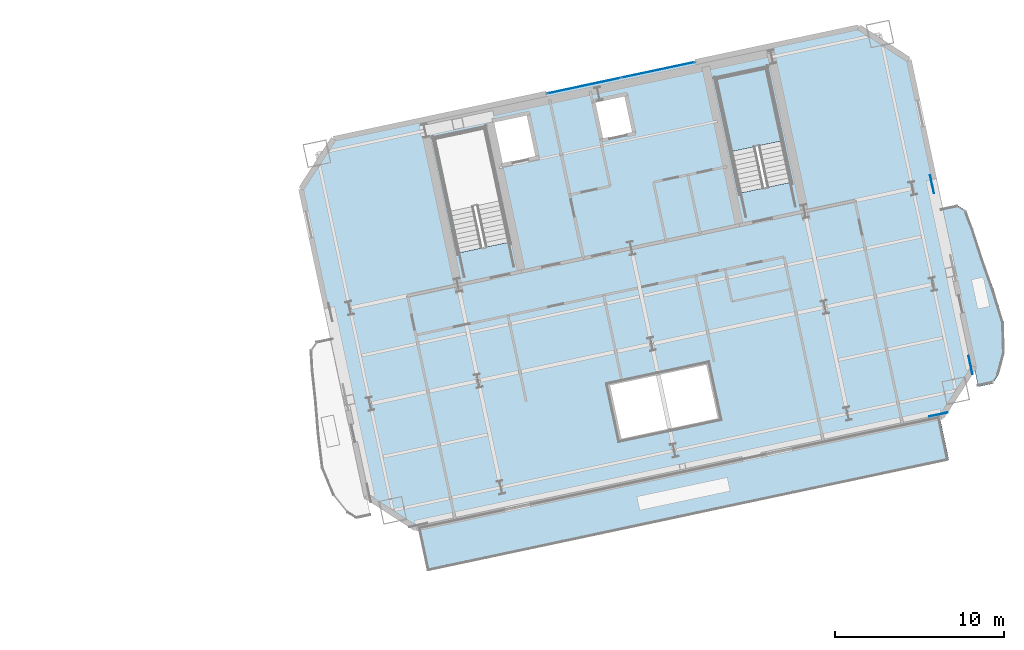
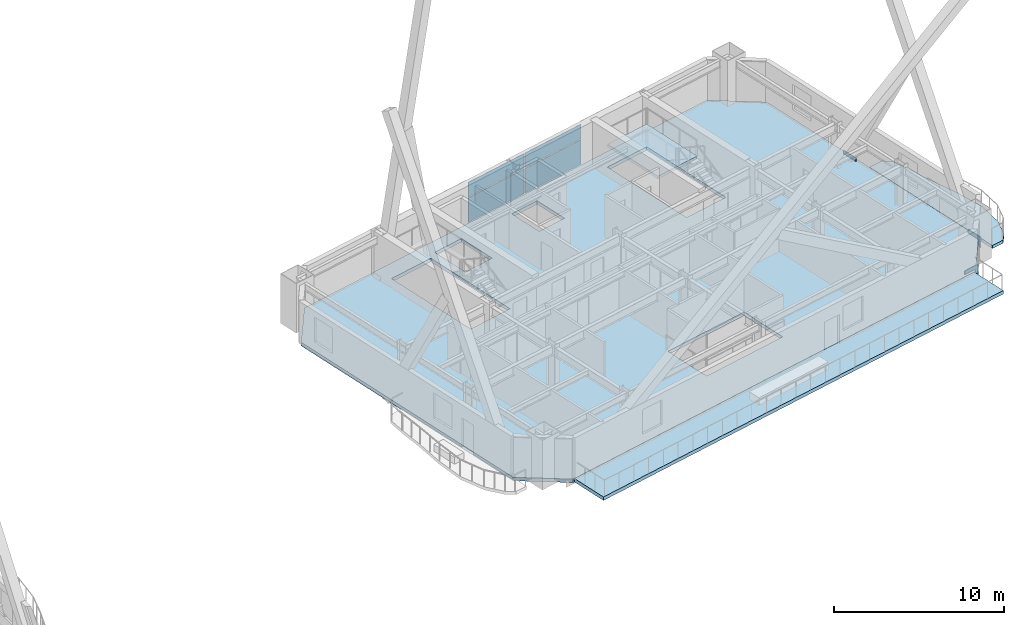
# One storey, part 10 of 22: 7 plates, 4 slabs, 2 elements without a shape of their own.
"""IFC4 building model written with IfcOpenShell, lengths in metres."""

from ifc_helpers import new_model, si_unit, direction, frame, origin, origin_2d, place, context, subcontext, project, spatial, polyline, rectangle, outline, extrude, material, layer, layer_set, type_object, element, aggregate, save


model = new_model("IFC4")

# Units and contexts
model_context = context("Model", 3, precision=1e-05, world=origin(), true_north=direction((0.0, 1.0)))
body_context = subcontext(model_context, "Body", "Model", "MODEL_VIEW")
ifc_project = project(units=[si_unit("LENGTHUNIT", "METRE"), si_unit("AREAUNIT", "SQUARE_METRE"), si_unit("VOLUMEUNIT", "CUBIC_METRE"), si_unit("PLANEANGLEUNIT", "RADIAN"), si_unit("MASSUNIT", "GRAM", prefix="KILO")], contexts=[model_context])

# Site, building, storey
site_placement = place(None, origin())
site = spatial("IfcSite", under=ifc_project, at=site_placement, CompositionType="ELEMENT")
building_placement = place(site_placement, origin())
building = spatial("IfcBuilding", under=site, at=building_placement, Name="Haevon Station Towers", CompositionType="ELEMENT")
storey_placement = place(building_placement, frame((0.0, 0.0, 113.10009765625)))
storey = spatial("IfcBuildingStorey", under=building, at=storey_placement, Name="L30", CompositionType="ELEMENT", Elevation=113.10009765625)

# Curtain wall, plates
ifc_material_1 = material(Name="Anodised aluminium and Low-E double glazing", Category="aluminium")
ifc_layer_1 = layer(ifc_material_1, 0.179931640625)
ifc_layer_set_1 = layer_set([ifc_layer_1], Name="Anodised aluminium and Low-E double glazing")
curtain_wall_type = type_object("IfcCurtainWallType", Name="CW-SYS5", PredefinedType="NOTDEFINED", material=ifc_layer_set_1)
curtain_wall_placement = place(storey_placement, origin())
curtain_wall = element("IfcCurtainWall", 1, at=curtain_wall_placement, inside=storey, type_object=curtain_wall_type, Name="L30 Curtain Wall CW-T2-L30-N", PredefinedType="NOTDEFINED")
ifc_material_2 = material(Name="Low-E double glazing", Category="glass")
ifc_layer_2 = layer(ifc_material_2, 0.028076171875)
ifc_layer_set_2 = layer_set([ifc_layer_2], Name="Low-E double glazing")
plate_type_1 = type_object("IfcPlateType", Name="CWP-GLZ28", PredefinedType="CURTAIN_PANEL", material=ifc_layer_set_2)
plate_1_placement = place(storey_placement, frame((106.224853515625, 49.254150390625, 0.059814453125), z_axis=(0.0, 0.0, 1.0), x_axis=(0.978147581095, 0.207911783211, 0.0)))
plate_1 = element("IfcPlate", 2, at=plate_1_placement, type_object=plate_type_1, Name="CW-SYS5 panel 1.1", PredefinedType="CURTAIN_PANEL", context=body_context, shape_type="SweptSolid", body=[
    extrude(rectangle(XDim=4.409912109375, YDim=0.028076171875, at=origin_2d()), origin(), (0.0, 0.0, 1.0), 1.77001953125),
])
plate_2_placement = place(storey_placement, frame((106.224853515625, 49.254150390625, 1.8896484375), z_axis=(0.0, 0.0, 1.0), x_axis=(0.978147581095, 0.207911783211, 0.0)))
plate_2 = element("IfcPlate", 3, at=plate_2_placement, type_object=plate_type_1, Name="CW-SYS5 panel 1.2", PredefinedType="CURTAIN_PANEL", context=body_context, shape_type="SweptSolid", body=[
    extrude(rectangle(XDim=4.409912109375, YDim=0.028076171875, at=origin_2d()), origin(), (0.0, 0.0, 1.0), 1.050048828125),
])
plate_3_placement = place(storey_placement, frame((110.59716796875, 50.18359375, 0.059814453125), z_axis=(0.0, 0.0, 1.0), x_axis=(0.978147581095, 0.207911783211, 0.0)))
plate_3 = element("IfcPlate", 4, at=plate_3_placement, type_object=plate_type_1, Name="CW-SYS5 panel 2.1", PredefinedType="CURTAIN_PANEL", context=body_context, shape_type="SweptSolid", body=[
    extrude(rectangle(XDim=4.409912109375, YDim=0.028076171875, at=origin_2d()), origin(), (0.0, 0.0, 1.0), 1.77001953125),
])
plate_4_placement = place(storey_placement, frame((110.59716796875, 50.18359375, 1.8896484375), z_axis=(0.0, 0.0, 1.0), x_axis=(0.978147581095, 0.207911783211, 0.0)))
plate_4 = element("IfcPlate", 5, at=plate_4_placement, type_object=plate_type_1, Name="CW-SYS5 panel 2.2", PredefinedType="CURTAIN_PANEL", context=body_context, shape_type="SweptSolid", body=[
    extrude(rectangle(XDim=4.409912109375, YDim=0.028076171875, at=origin_2d()), origin(), (0.0, 0.0, 1.0), 1.050048828125),
])
aggregate(curtain_wall, [plate_1, plate_2, plate_3, plate_4])

# Plates
ifc_material_3 = material(Name="PL-SPL1", Category="steel")
ifc_layer_3 = layer(ifc_material_3, 0.031982421875)
ifc_layer_set_3 = layer_set([ifc_layer_3], Name="PL-SPL1")
plate_type_2 = type_object("IfcPlateType", Name="PL-SPL1", PredefinedType="USERDEFINED", material=ifc_layer_set_3)
for number, where, z_axis, x_axis, name in (
    (6, (127.218994140625, 29.7734375, -0.4951171875), (0.0, 0.0, 1.0), (0.978147600734, 0.207911690818, 0.0), "PL-T2SPL-T04-S-2"),
    (7, (129.121337890625, 32.702880859375, -0.4951171875), (0.0, 0.0, 1.0), (-0.207911690818, 0.978147600734, 0.0), "PL-T2SPL-T04-E-1"),
    (8, (126.8447265625, 43.41357421875, -0.4951171875), (0.0, 0.0, 1.0), (-0.207911690818, 0.978147600734, 0.0), "PL-T2SPL-T04-E-2"),
):
    element("IfcPlate", number, at=place(storey_placement, frame(where, z_axis=z_axis, x_axis=x_axis)), inside=storey, type_object=plate_type_2, Name=name, ObjectType="SPLICE_PLATE", PredefinedType="USERDEFINED", context=body_context, shape_type="SweptSolid", body=[
        extrude(rectangle(XDim=1.10009765625, YDim=0.031982421875, at=origin_2d()), origin(), (0.0, 0.0, 1.0), 0.75),
    ])

# Slab
ifc_material_4 = material(Name="Concrete C40/50", Category="concrete")
ifc_layer_4 = layer(ifc_material_4, 0.219970703125)
ifc_layer_set_4 = layer_set([ifc_layer_4], Name="Concrete C40/50")
slab_type_1 = type_object("IfcSlabType", Name="SL-BALC220", PredefinedType="FLOOR", material=ifc_layer_set_4)
slab_1_placement = place(storey_placement, frame((0.0, 0.0, -0.22021484375)))
element("IfcSlab", 9, at=slab_1_placement, inside=storey, type_object=slab_type_1, Name="Tower 2 L30 East SCALLOPED BALCONY", PredefinedType="FLOOR", context=body_context, shape_type="SweptSolid", body=[
    extrude(outline(polyline([(129.5830078125, 31.4208984375), (130.41455078125, 31.59765625), (130.755126953125, 32.09033203125), (131.10498046875, 33.361328125), (131.072509765625, 35.1455078125), (130.514404296875, 37.139404296875), (129.77490234375, 39.094970703125), (129.225830078125, 40.769287109375), (128.802734375, 41.8759765625), (128.304443359375, 42.1904296875), (127.337646484375, 41.98486328125), (129.5830078125, 31.4208984375)])), origin(), (0.0, 0.0, 1.0), 0.22021484375),
])

# Stair, slab
stair_type = type_object("IfcStairType", Name="STR-DL1450", PredefinedType="USERDEFINED", material=ifc_material_4)
stair_placement = place(storey_placement, origin())
stair = element("IfcStair", 10, at=stair_placement, inside=storey, type_object=stair_type, Name="L30 Escape Stair ST4", ObjectType="TWO_RETURN_STAIR", PredefinedType="USERDEFINED")
ifc_layer_5 = layer(ifc_material_4, 0.199951171875)
ifc_layer_set_5 = layer_set([ifc_layer_5], Name="Concrete C40/50")
slab_type_2 = type_object("IfcSlabType", Name="SL-LND200", PredefinedType="LANDING", material=ifc_layer_set_5)
slab_2_placement = place(storey_placement, frame((0.0, 0.0, 1.449951171875)))
slab_2 = element("IfcSlab", 11, at=slab_2_placement, type_object=slab_type_2, Name="L30 ST4 Half Landing 1", PredefinedType="LANDING", context=body_context, shape_type="SweptSolid", body=[
    extrude(outline(polyline([(117.975341796875, 45.989990234375), (117.052978515625, 50.328857421875), (114.020751953125, 49.684326171875), (114.943115234375, 45.345458984375), (117.975341796875, 45.989990234375)])), origin(), (0.0, 0.0, 1.0), 0.199951171875),
])
aggregate(stair, [slab_2])

# Slabs
ifc_layer_6 = layer(ifc_material_4, 0.25)
ifc_layer_set_6 = layer_set([ifc_layer_6], Name="Concrete C40/50")
slab_type_3 = type_object("IfcSlabType", Name="SL-TERR250", PredefinedType="FLOOR", material=ifc_layer_set_6)
slab_3_placement = place(storey_placement, frame((0.0, 0.0, -0.25)))
element("IfcSlab", 12, at=slab_3_placement, inside=storey, type_object=slab_type_3, Name="Tower 2 L30 Sky Garden Terrace", PredefinedType="FLOOR", context=body_context, shape_type="SweptSolid", body=[
    extrude(outline(polyline([(96.926025390625, 20.54345703125), (127.83544921875, 27.113525390625), (127.30615234375, 29.602783203125), (96.396728515625, 23.03271484375), (96.926025390625, 20.54345703125)])), origin(), (0.0, 0.0, 1.0), 0.25),
])
ifc_layer_7 = layer(ifc_material_4, 0.25)
ifc_layer_set_7 = layer_set([ifc_layer_7], Name="Concrete C40/50")
slab_type_4 = type_object("IfcSlabType", Name="SL-TW250", PredefinedType="FLOOR", material=ifc_layer_set_7)
slab_4_placement = place(storey_placement, frame((0.0, 0.0, -0.25)))
element("IfcSlab", 13, at=slab_4_placement, inside=storey, type_object=slab_type_4, Name="SL-T2-L30", PredefinedType="FLOOR", context=body_context, shape_type="SweptSolid", body=[
    extrude(outline(polyline([(96.2978515625, 23.016845703125), (127.403076171875, 29.62841796875), (129.32861328125, 32.593505859375), (125.46142578125, 50.787109375), (122.496337890625, 52.712646484375), (91.391357421875, 46.10107421875), (89.465576171875, 43.135986328125), (93.332763671875, 24.9423828125), (96.2978515625, 23.016845703125)]), holes=[polyline([(101.8095703125, 39.98974609375), (100.36572265625, 46.781982421875), (97.33349609375, 46.137451171875), (98.77734375, 39.34521484375), (101.8095703125, 39.98974609375)]), polyline([(118.496826171875, 43.53662109375), (117.052978515625, 50.328857421875), (114.020751953125, 49.684326171875), (115.464599609375, 42.89208984375), (118.496826171875, 43.53662109375)]), polyline([(101.43212890625, 44.554931640625), (103.486328125, 44.99169921875), (102.9248046875, 47.632568359375), (100.870849609375, 47.196044921875), (101.43212890625, 44.554931640625)]), polyline([(107.259521484375, 45.998046875), (109.2158203125, 46.413818359375), (108.716796875, 48.761474609375), (106.760498046875, 48.345703125), (107.259521484375, 45.998046875)]), polyline([(108.37548828125, 28.2421875), (114.244384765625, 29.489501953125), (113.537353515625, 32.815185546875), (107.668701171875, 31.56787109375), (108.37548828125, 28.2421875)])]), origin(), (0.0, 0.0, 1.0), 0.25),
])

save(model, "model.ifc")
